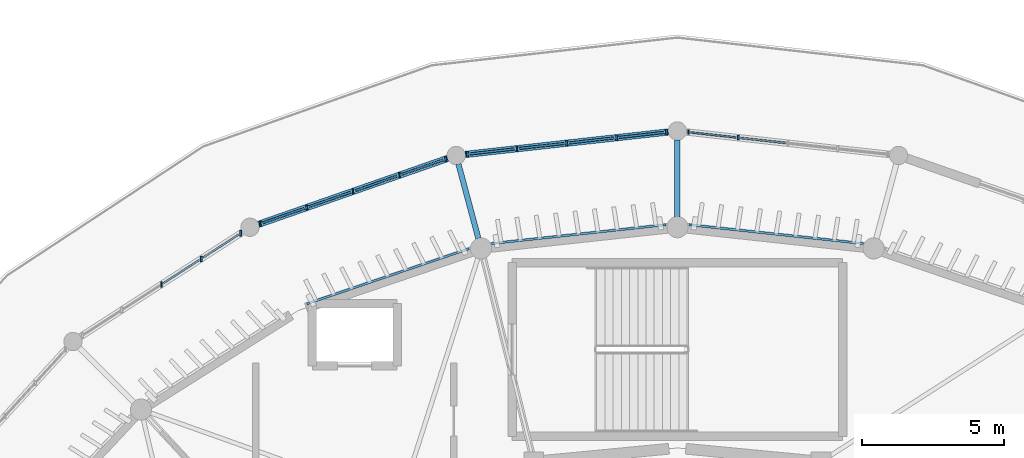
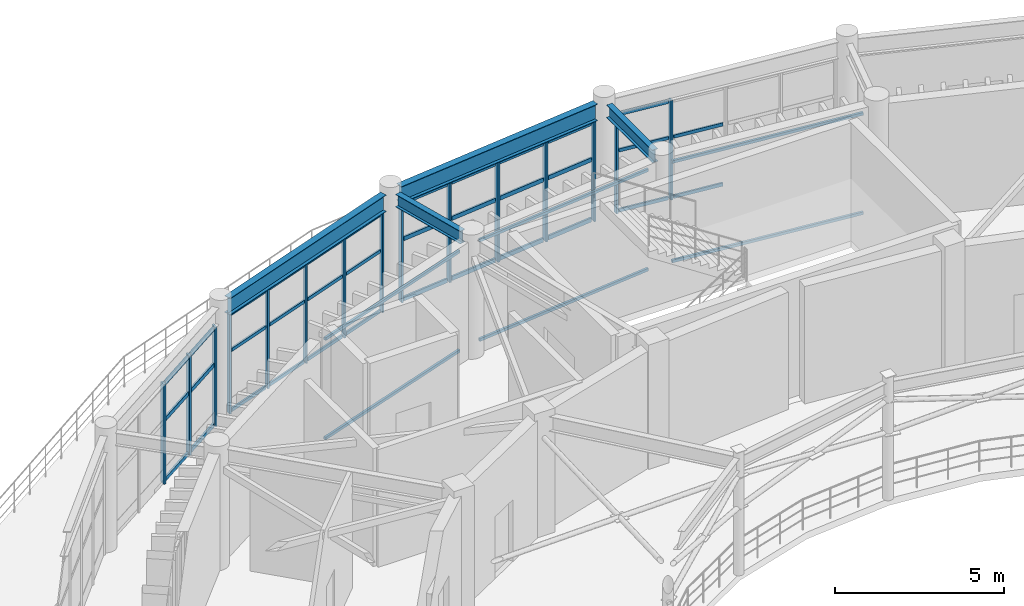
# One storey, part 13 of 45: 56 members, 4 beams, 4 elements without a shape of their own.
"""IFC4 building model written with IfcOpenShell, lengths in metres."""

from ifc_helpers import new_model, si_unit, direction, frame, origin, origin_2d, place, context, subcontext, project, spatial, rectangle, i_section, extrude, material, material_profile, profile_set, type_object, element, aggregate, save


model = new_model("IFC4")

# Units and contexts
model_context = context("Model", 3, precision=1e-05, world=origin(), true_north=direction((0.0, 1.0)))
body_context = subcontext(model_context, "Body", "Model", "MODEL_VIEW")
ifc_project = project(units=[si_unit("LENGTHUNIT", "METRE"), si_unit("AREAUNIT", "SQUARE_METRE"), si_unit("VOLUMEUNIT", "CUBIC_METRE"), si_unit("PLANEANGLEUNIT", "RADIAN"), si_unit("MASSUNIT", "GRAM", prefix="KILO")], contexts=[model_context])

# Site, building, storey
site_placement = place(None, origin())
site = spatial("IfcSite", under=ifc_project, at=site_placement, CompositionType="ELEMENT")
building_placement = place(site_placement, origin())
building = spatial("IfcBuilding", under=site, at=building_placement, Name="Cinderbank Siding Concert Hall", CompositionType="ELEMENT")
storey_placement = place(building_placement, frame((0.0, 0.0, 19.199951171875)))
storey = spatial("IfcBuildingStorey", under=building, at=storey_placement, Name="L05", CompositionType="ELEMENT", Elevation=19.199951171875)

# Beams
ifc_material_1 = material(Name="Structural steel AS/NZS 3679.1 Grade 350 (340 MPa)", Category="steel")
ifc_material_profile_1 = material_profile(ifc_material_1, i_section(OverallWidth=0.19091796875, OverallDepth=0.46044921875, WebThickness=0.010009765625, FlangeThickness=0.01611328125, at=origin_2d()), Name="460UB82.1", Category="LoadBearing")
ifc_profile_set_1 = profile_set([ifc_material_profile_1], Name="Structural steel AS/NZS 3679.1 Grade 350 (340 MPa)")
beam_type_1 = type_object("IfcBeamType", Name="BM-UB460H 460UB82.1", PredefinedType="BEAM", material=ifc_profile_set_1)
beam_1_placement = place(storey_placement, frame((122.0, 66.366943359375, 4.001953125), z_axis=(0.0, 1.0, 0.0), x_axis=(-1.0, 0.0, 0.0)))
element("IfcBeam", 1, at=beam_1_placement, inside=storey, type_object=beam_type_1, Name="L05 Beam BM-UB460H #801", PredefinedType="BEAM", context=body_context, shape_type="SweptSolid", body=[
    extrude(i_section(OverallWidth=0.19091796875, OverallDepth=0.46044921875, WebThickness=0.010009765625, FlangeThickness=0.01611328125, at=origin_2d()), origin(), (0.0, 0.0, 1.0), 2.716064453125),
])
beam_2_placement = place(storey_placement, frame((114.968505859375, 65.60498046875, 4.001953125), z_axis=(-0.258809477387, 0.9659283899, 0.0), x_axis=(-0.9659283899, -0.258809477387, 0.0)))
element("IfcBeam", 2, at=beam_2_placement, inside=storey, type_object=beam_type_1, Name="L05 Beam BM-UB460H #802", PredefinedType="BEAM", context=body_context, shape_type="SweptSolid", body=[
    extrude(i_section(OverallWidth=0.19091796875, OverallDepth=0.46044921875, WebThickness=0.010009765625, FlangeThickness=0.01611328125, at=origin_2d()), origin(), (0.0, 0.0, 1.0), 2.7158203125),
])
ifc_material_profile_2 = material_profile(ifc_material_1, i_section(OverallWidth=0.22802734375, OverallDepth=0.60693359375, WebThickness=0.01123046875, FlangeThickness=0.017333984375, at=origin_2d()), Name="610UB113", Category="LoadBearing")
ifc_profile_set_2 = profile_set([ifc_material_profile_2], Name="Structural steel AS/NZS 3679.1 Grade 350 (340 MPa)")
beam_type_2 = type_object("IfcBeamType", Name="BM-UB610M 610UB113", PredefinedType="BEAM", material=ifc_profile_set_2)
beam_3_placement = place(storey_placement, frame((121.684814453125, 69.364990234375, 3.928466796875), z_axis=(-0.993926077211, -0.110049775281, 0.0), x_axis=(0.110049775281, -0.993926077211, 0.0)))
element("IfcBeam", 3, at=beam_3_placement, inside=storey, type_object=beam_type_2, Name="L05 Beam BM-UB610M #765", PredefinedType="BEAM", context=body_context, shape_type="SweptSolid", body=[
    extrude(i_section(OverallWidth=0.22802734375, OverallDepth=0.60693359375, WebThickness=0.01123046875, FlangeThickness=0.017333984375, at=origin_2d()), origin(), (0.0, 0.0, 1.0), 7.22998046875),
])
beam_4_placement = place(storey_placement, frame((113.88427734375, 68.43017578125, 3.928466796875), z_axis=(-0.944334299593, -0.328987432301, 0.0), x_axis=(0.328987432301, -0.944334299593, 0.0)))
element("IfcBeam", 4, at=beam_4_placement, inside=storey, type_object=beam_type_2, Name="L05 Beam BM-UB610M #766", PredefinedType="BEAM", context=body_context, shape_type="SweptSolid", body=[
    extrude(i_section(OverallWidth=0.22802734375, OverallDepth=0.60693359375, WebThickness=0.01123046875, FlangeThickness=0.017333984375, at=origin_2d()), origin(), (0.0, 0.0, 1.0), 7.078857421875),
])

# Curtain wall, members
ifc_material_2 = material(Name="Anodised aluminium alloy 6063-T6", Category="aluminium")
curtain_wall_type_1 = type_object("IfcCurtainWallType", Name="CW-10 Unitised Acoustic Curtain Wall 7200x3500", PredefinedType="NOTDEFINED", material=ifc_material_2)
curtain_wall_1_placement = place(storey_placement, origin())
curtain_wall_1 = element("IfcCurtainWall", 5, at=curtain_wall_1_placement, inside=storey, type_object=curtain_wall_type_1, Name="L05 Curtain Wall CW-10 #76", PredefinedType="NOTDEFINED")
ifc_material_profile_3 = material_profile(ifc_material_2, rectangle(XDim=0.06005859375, YDim=0.159912109375, at=origin_2d()), Name="ALU-MULL-60x160", Category="LoadBearing")
ifc_profile_set_3 = profile_set([ifc_material_profile_3], Name="Anodised aluminium alloy 6063-T6")
member_type_1 = type_object("IfcMemberType", Name="CW-ML1 Mullion 60x160", PredefinedType="MULLION", material=ifc_profile_set_3)
member_1_placement = place(storey_placement, frame((124.14794921875, 69.162109375, 0.0), z_axis=(0.0, 0.0, 1.0), x_axis=(1.0, 0.0, 0.0)))
member_1 = element("IfcMember", 6, at=member_1_placement, type_object=member_type_1, Name="CW-L05-076 Mullion 3", PredefinedType="MULLION", context=body_context, shape_type="SweptSolid", body=[
    extrude(rectangle(XDim=0.06005859375, YDim=0.159912109375, at=origin_2d()), origin(), (0.0, 0.0, 1.0), 3.610107421875),
])
member_2_placement = place(storey_placement, frame((122.3876953125, 69.357177734375, 0.0), z_axis=(0.0, 0.0, 1.0), x_axis=(1.0, 0.0, 0.0)))
member_2 = element("IfcMember", 7, at=member_2_placement, type_object=member_type_1, Name="CW-L05-076 Mullion 4", PredefinedType="MULLION", context=body_context, shape_type="SweptSolid", body=[
    extrude(rectangle(XDim=0.06005859375, YDim=0.159912109375, at=origin_2d()), origin(), (0.0, 0.0, 1.0), 3.610107421875),
])

curtain_wall_type_2 = type_object("IfcCurtainWallType", Name="CW-12 Unitised Acoustic Curtain Wall 5800x3500", PredefinedType="NOTDEFINED", material=ifc_material_2)
curtain_wall_2_placement = place(storey_placement, origin())
curtain_wall_2 = element("IfcCurtainWall", 8, at=curtain_wall_2_placement, inside=storey, type_object=curtain_wall_type_2, Name="L05 Curtain Wall CW-12 #78", PredefinedType="NOTDEFINED")
member_3_placement = place(storey_placement, frame((113.8154296875, 68.40625, 0.0), z_axis=(0.0, 0.0, 1.0), x_axis=(1.0, 0.0, 0.0)))
member_3 = element("IfcMember", 9, at=member_3_placement, type_object=member_type_1, Name="CW-L05-078 Mullion 0", PredefinedType="MULLION", context=body_context, shape_type="SweptSolid", body=[
    extrude(rectangle(XDim=0.06005859375, YDim=0.159912109375, at=origin_2d()), origin(), (0.0, 0.0, 1.0), 3.610107421875),
])
member_4_placement = place(storey_placement, frame((112.1787109375, 67.8359375, 0.0), z_axis=(0.0, 0.0, 1.0), x_axis=(1.0, 0.0, 0.0)))
member_4 = element("IfcMember", 10, at=member_4_placement, type_object=member_type_1, Name="CW-L05-078 Mullion 1", PredefinedType="MULLION", context=body_context, shape_type="SweptSolid", body=[
    extrude(rectangle(XDim=0.06005859375, YDim=0.159912109375, at=origin_2d()), origin(), (0.0, 0.0, 1.0), 3.610107421875),
])
member_5_placement = place(storey_placement, frame((110.541748046875, 67.265625, 0.0), z_axis=(0.0, 0.0, 1.0), x_axis=(1.0, 0.0, 0.0)))
member_5 = element("IfcMember", 11, at=member_5_placement, type_object=member_type_1, Name="CW-L05-078 Mullion 2", PredefinedType="MULLION", context=body_context, shape_type="SweptSolid", body=[
    extrude(rectangle(XDim=0.06005859375, YDim=0.159912109375, at=origin_2d()), origin(), (0.0, 0.0, 1.0), 3.610107421875),
])
member_6_placement = place(storey_placement, frame((108.905029296875, 66.695556640625, 0.0), z_axis=(0.0, 0.0, 1.0), x_axis=(1.0, 0.0, 0.0)))
member_6 = element("IfcMember", 12, at=member_6_placement, type_object=member_type_1, Name="CW-L05-078 Mullion 3", PredefinedType="MULLION", context=body_context, shape_type="SweptSolid", body=[
    extrude(rectangle(XDim=0.06005859375, YDim=0.159912109375, at=origin_2d()), origin(), (0.0, 0.0, 1.0), 3.610107421875),
])
member_7_placement = place(storey_placement, frame((107.268310546875, 66.125244140625, 0.0), z_axis=(0.0, 0.0, 1.0), x_axis=(1.0, 0.0, 0.0)))
member_7 = element("IfcMember", 13, at=member_7_placement, type_object=member_type_1, Name="CW-L05-078 Mullion 4", PredefinedType="MULLION", context=body_context, shape_type="SweptSolid", body=[
    extrude(rectangle(XDim=0.06005859375, YDim=0.159912109375, at=origin_2d()), origin(), (0.0, 0.0, 1.0), 3.610107421875),
])

curtain_wall_type_3 = type_object("IfcCurtainWallType", Name="CW-11 Unitised Acoustic Curtain Wall 6600x3500", PredefinedType="NOTDEFINED", material=ifc_material_2)
curtain_wall_3_placement = place(storey_placement, origin())
curtain_wall_3 = element("IfcCurtainWall", 14, at=curtain_wall_3_placement, inside=storey, type_object=curtain_wall_type_3, Name="L05 Curtain Wall CW-11 #77", PredefinedType="NOTDEFINED")
ifc_material_profile_4 = material_profile(ifc_material_2, rectangle(XDim=0.06494140625, YDim=0.199951171875, at=origin_2d()), Name="ALU-MULL-65x200", Category="LoadBearing")
ifc_profile_set_4 = profile_set([ifc_material_profile_4], Name="Anodised aluminium alloy 6063-T6")
member_type_2 = type_object("IfcMemberType", Name="CW-ML2 Mullion 65x200", PredefinedType="MULLION", material=ifc_profile_set_4)
member_8_placement = place(storey_placement, frame((121.6123046875, 69.357177734375, 0.0), z_axis=(0.0, 0.0, 1.0), x_axis=(1.0, 0.0, 0.0)))
member_8 = element("IfcMember", 15, at=member_8_placement, type_object=member_type_2, Name="CW-L05-077 Mullion 0", PredefinedType="MULLION", context=body_context, shape_type="SweptSolid", body=[
    extrude(rectangle(XDim=0.06494140625, YDim=0.199951171875, at=origin_2d()), origin(), (0.0, 0.0, 1.0), 3.610107421875),
])
member_9_placement = place(storey_placement, frame((119.85205078125, 69.162109375, 0.0), z_axis=(0.0, 0.0, 1.0), x_axis=(1.0, 0.0, 0.0)))
member_9 = element("IfcMember", 16, at=member_9_placement, type_object=member_type_2, Name="CW-L05-077 Mullion 1", PredefinedType="MULLION", context=body_context, shape_type="SweptSolid", body=[
    extrude(rectangle(XDim=0.06494140625, YDim=0.199951171875, at=origin_2d()), origin(), (0.0, 0.0, 1.0), 3.610107421875),
])
member_10_placement = place(storey_placement, frame((118.091796875, 68.96728515625, 0.0), z_axis=(0.0, 0.0, 1.0), x_axis=(1.0, 0.0, 0.0)))
member_10 = element("IfcMember", 17, at=member_10_placement, type_object=member_type_2, Name="CW-L05-077 Mullion 2", PredefinedType="MULLION", context=body_context, shape_type="SweptSolid", body=[
    extrude(rectangle(XDim=0.06494140625, YDim=0.199951171875, at=origin_2d()), origin(), (0.0, 0.0, 1.0), 3.610107421875),
])
member_11_placement = place(storey_placement, frame((116.33154296875, 68.772216796875, 0.0), z_axis=(0.0, 0.0, 1.0), x_axis=(1.0, 0.0, 0.0)))
member_11 = element("IfcMember", 18, at=member_11_placement, type_object=member_type_2, Name="CW-L05-077 Mullion 3", PredefinedType="MULLION", context=body_context, shape_type="SweptSolid", body=[
    extrude(rectangle(XDim=0.06494140625, YDim=0.199951171875, at=origin_2d()), origin(), (0.0, 0.0, 1.0), 3.610107421875),
])
member_12_placement = place(storey_placement, frame((114.5712890625, 68.577392578125, 0.0), z_axis=(0.0, 0.0, 1.0), x_axis=(1.0, 0.0, 0.0)))
member_12 = element("IfcMember", 19, at=member_12_placement, type_object=member_type_2, Name="CW-L05-077 Mullion 4", PredefinedType="MULLION", context=body_context, shape_type="SweptSolid", body=[
    extrude(rectangle(XDim=0.06494140625, YDim=0.199951171875, at=origin_2d()), origin(), (0.0, 0.0, 1.0), 3.610107421875),
])

curtain_wall_type_4 = type_object("IfcCurtainWallType", Name="CW-09 Unitised Acoustic Curtain Wall 8000x3500", PredefinedType="NOTDEFINED", material=ifc_material_2)
curtain_wall_4_placement = place(storey_placement, origin())
curtain_wall_4 = element("IfcCurtainWall", 20, at=curtain_wall_4_placement, inside=storey, type_object=curtain_wall_type_4, Name="L05 Curtain Wall CW-09 #79", PredefinedType="NOTDEFINED")
member_13_placement = place(storey_placement, frame((106.572265625, 65.785400390625, 0.0), z_axis=(0.0, 0.0, 1.0), x_axis=(1.0, 0.0, 0.0)))
member_13 = element("IfcMember", 21, at=member_13_placement, type_object=member_type_2, Name="CW-L05-079 Mullion 0", PredefinedType="MULLION", context=body_context, shape_type="SweptSolid", body=[
    extrude(rectangle(XDim=0.06494140625, YDim=0.199951171875, at=origin_2d()), origin(), (0.0, 0.0, 1.0), 3.610107421875),
])
member_14_placement = place(storey_placement, frame((105.172607421875, 64.882080078125, 0.0), z_axis=(0.0, 0.0, 1.0), x_axis=(1.0, 0.0, 0.0)))
member_14 = element("IfcMember", 22, at=member_14_placement, type_object=member_type_2, Name="CW-L05-079 Mullion 1", PredefinedType="MULLION", context=body_context, shape_type="SweptSolid", body=[
    extrude(rectangle(XDim=0.06494140625, YDim=0.199951171875, at=origin_2d()), origin(), (0.0, 0.0, 1.0), 3.610107421875),
])
member_15_placement = place(storey_placement, frame((103.772705078125, 63.978759765625, 0.0), z_axis=(0.0, 0.0, 1.0), x_axis=(1.0, 0.0, 0.0)))
member_15 = element("IfcMember", 23, at=member_15_placement, type_object=member_type_2, Name="CW-L05-079 Mullion 2", PredefinedType="MULLION", context=body_context, shape_type="SweptSolid", body=[
    extrude(rectangle(XDim=0.06494140625, YDim=0.199951171875, at=origin_2d()), origin(), (0.0, 0.0, 1.0), 3.610107421875),
])

# Member
ifc_material_profile_5 = material_profile(ifc_material_2, rectangle(XDim=0.06005859375, YDim=0.1201171875, at=origin_2d()), Name="ALU-TRAN-60x120", Category="LoadBearing")
ifc_profile_set_5 = profile_set([ifc_material_profile_5], Name="Anodised aluminium alloy 6063-T6")
member_type_3 = type_object("IfcMemberType", Name="CW-TR1 Transom 60x120", PredefinedType="USERDEFINED", material=ifc_profile_set_5)
member_16_placement = place(storey_placement, frame((125.820068359375, 68.97705078125, 0.06005859375), z_axis=(-0.993934065753, 0.109977601974, 0.0), x_axis=(-0.109977601974, -0.993934065753, 0.0)))
member_16 = element("IfcMember", 24, at=member_16_placement, type_object=member_type_3, Name="CW-L05-076 Transom 2-0", ObjectType="TRANSOM", PredefinedType="USERDEFINED", context=body_context, shape_type="SweptSolid", body=[
    extrude(rectangle(XDim=0.06005859375, YDim=0.1201171875, at=origin_2d()), origin(), (0.0, 0.0, 1.0), 1.593994140625),
])

member_17_placement = place(storey_placement, frame((125.820068359375, 68.97705078125, 2.23828125), z_axis=(-0.993934065753, 0.109977601974, 0.0), x_axis=(-0.109977601974, -0.993934065753, 0.0)))
member_17 = element("IfcMember", 25, at=member_17_placement, type_object=member_type_3, Name="CW-L05-076 Transom 2-1", ObjectType="TRANSOM", PredefinedType="USERDEFINED", context=body_context, shape_type="SweptSolid", body=[
    extrude(rectangle(XDim=0.06005859375, YDim=0.1201171875, at=origin_2d()), origin(), (0.0, 0.0, 1.0), 1.593994140625),
])

member_18_placement = place(storey_placement, frame((124.059814453125, 69.171875, 0.06005859375), z_axis=(-0.993917311195, 0.110128917668, 0.0), x_axis=(-0.110128917668, -0.993917311195, 0.0)))
member_18 = element("IfcMember", 26, at=member_18_placement, type_object=member_type_3, Name="CW-L05-076 Transom 3-0", ObjectType="TRANSOM", PredefinedType="USERDEFINED", context=body_context, shape_type="SweptSolid", body=[
    extrude(rectangle(XDim=0.06005859375, YDim=0.1201171875, at=origin_2d()), origin(), (0.0, 0.0, 1.0), 1.593994140625),
])

member_19_placement = place(storey_placement, frame((124.059814453125, 69.171875, 2.23828125), z_axis=(-0.993917311195, 0.110128917668, 0.0), x_axis=(-0.110128917668, -0.993917311195, 0.0)))
member_19 = element("IfcMember", 27, at=member_19_placement, type_object=member_type_3, Name="CW-L05-076 Transom 3-1", ObjectType="TRANSOM", PredefinedType="USERDEFINED", context=body_context, shape_type="SweptSolid", body=[
    extrude(rectangle(XDim=0.06005859375, YDim=0.1201171875, at=origin_2d()), origin(), (0.0, 0.0, 1.0), 1.593994140625),
])

member_20_placement = place(storey_placement, frame((124.059814453125, 69.171875, 3.550048828125), z_axis=(-0.993917311195, 0.110128917668, 0.0), x_axis=(-0.110128917668, -0.993917311195, 0.0)))
member_20 = element("IfcMember", 28, at=member_20_placement, type_object=member_type_3, Name="CW-L05-076 Transom 3-2", ObjectType="TRANSOM", PredefinedType="USERDEFINED", context=body_context, shape_type="SweptSolid", body=[
    extrude(rectangle(XDim=0.06005859375, YDim=0.1201171875, at=origin_2d()), origin(), (0.0, 0.0, 1.0), 1.593994140625),
])

aggregate(curtain_wall_1, [member_1, member_2, member_16, member_17, member_18, member_19, member_20])

member_21_placement = place(storey_placement, frame((113.733642578125, 68.377685546875, 0.06005859375), z_axis=(-0.944340450587, -0.328969775793, 0.0), x_axis=(0.328969775793, -0.944340450587, 0.0)))
member_21 = element("IfcMember", 29, at=member_21_placement, type_object=member_type_3, Name="CW-L05-078 Transom 0-0", ObjectType="TRANSOM", PredefinedType="USERDEFINED", context=body_context, shape_type="SweptSolid", body=[
    extrude(rectangle(XDim=0.06005859375, YDim=0.1201171875, at=origin_2d()), origin(), (0.0, 0.0, 1.0), 1.56005859375),
])

member_22_placement = place(storey_placement, frame((113.733642578125, 68.377685546875, 2.23828125), z_axis=(-0.944340450587, -0.328969775793, 0.0), x_axis=(0.328969775793, -0.944340450587, 0.0)))
member_22 = element("IfcMember", 30, at=member_22_placement, type_object=member_type_3, Name="CW-L05-078 Transom 0-1", ObjectType="TRANSOM", PredefinedType="USERDEFINED", context=body_context, shape_type="SweptSolid", body=[
    extrude(rectangle(XDim=0.06005859375, YDim=0.1201171875, at=origin_2d()), origin(), (0.0, 0.0, 1.0), 1.56005859375),
])

member_23_placement = place(storey_placement, frame((113.733642578125, 68.377685546875, 3.550048828125), z_axis=(-0.944340450587, -0.328969775793, 0.0), x_axis=(0.328969775793, -0.944340450587, 0.0)))
member_23 = element("IfcMember", 31, at=member_23_placement, type_object=member_type_3, Name="CW-L05-078 Transom 0-2", ObjectType="TRANSOM", PredefinedType="USERDEFINED", context=body_context, shape_type="SweptSolid", body=[
    extrude(rectangle(XDim=0.06005859375, YDim=0.1201171875, at=origin_2d()), origin(), (0.0, 0.0, 1.0), 1.56005859375),
])

member_24_placement = place(storey_placement, frame((112.0966796875, 67.8076171875, 0.06005859375), z_axis=(-0.944274869359, -0.32915797286, 0.0), x_axis=(0.32915797286, -0.944274869359, 0.0)))
member_24 = element("IfcMember", 32, at=member_24_placement, type_object=member_type_3, Name="CW-L05-078 Transom 1-0", ObjectType="TRANSOM", PredefinedType="USERDEFINED", context=body_context, shape_type="SweptSolid", body=[
    extrude(rectangle(XDim=0.06005859375, YDim=0.1201171875, at=origin_2d()), origin(), (0.0, 0.0, 1.0), 1.559814453125),
])

member_25_placement = place(storey_placement, frame((112.0966796875, 67.8076171875, 2.23828125), z_axis=(-0.944274869359, -0.32915797286, 0.0), x_axis=(0.32915797286, -0.944274869359, 0.0)))
member_25 = element("IfcMember", 33, at=member_25_placement, type_object=member_type_3, Name="CW-L05-078 Transom 1-1", ObjectType="TRANSOM", PredefinedType="USERDEFINED", context=body_context, shape_type="SweptSolid", body=[
    extrude(rectangle(XDim=0.06005859375, YDim=0.1201171875, at=origin_2d()), origin(), (0.0, 0.0, 1.0), 1.559814453125),
])

member_26_placement = place(storey_placement, frame((112.0966796875, 67.8076171875, 3.550048828125), z_axis=(-0.944274869359, -0.32915797286, 0.0), x_axis=(0.32915797286, -0.944274869359, 0.0)))
member_26 = element("IfcMember", 34, at=member_26_placement, type_object=member_type_3, Name="CW-L05-078 Transom 1-2", ObjectType="TRANSOM", PredefinedType="USERDEFINED", context=body_context, shape_type="SweptSolid", body=[
    extrude(rectangle(XDim=0.06005859375, YDim=0.1201171875, at=origin_2d()), origin(), (0.0, 0.0, 1.0), 1.559814453125),
])

member_27_placement = place(storey_placement, frame((110.4599609375, 67.2373046875, 0.06005859375), z_axis=(-0.944340450587, -0.328969775793, 0.0), x_axis=(0.328969775793, -0.944340450587, 0.0)))
member_27 = element("IfcMember", 35, at=member_27_placement, type_object=member_type_3, Name="CW-L05-078 Transom 2-0", ObjectType="TRANSOM", PredefinedType="USERDEFINED", context=body_context, shape_type="SweptSolid", body=[
    extrude(rectangle(XDim=0.06005859375, YDim=0.1201171875, at=origin_2d()), origin(), (0.0, 0.0, 1.0), 1.56005859375),
])

member_28_placement = place(storey_placement, frame((110.4599609375, 67.2373046875, 2.23828125), z_axis=(-0.944340450587, -0.328969775793, 0.0), x_axis=(0.328969775793, -0.944340450587, 0.0)))
member_28 = element("IfcMember", 36, at=member_28_placement, type_object=member_type_3, Name="CW-L05-078 Transom 2-1", ObjectType="TRANSOM", PredefinedType="USERDEFINED", context=body_context, shape_type="SweptSolid", body=[
    extrude(rectangle(XDim=0.06005859375, YDim=0.1201171875, at=origin_2d()), origin(), (0.0, 0.0, 1.0), 1.56005859375),
])

member_29_placement = place(storey_placement, frame((110.4599609375, 67.2373046875, 3.550048828125), z_axis=(-0.944340450587, -0.328969775793, 0.0), x_axis=(0.328969775793, -0.944340450587, 0.0)))
member_29 = element("IfcMember", 37, at=member_29_placement, type_object=member_type_3, Name="CW-L05-078 Transom 2-2", ObjectType="TRANSOM", PredefinedType="USERDEFINED", context=body_context, shape_type="SweptSolid", body=[
    extrude(rectangle(XDim=0.06005859375, YDim=0.1201171875, at=origin_2d()), origin(), (0.0, 0.0, 1.0), 1.56005859375),
])

member_30_placement = place(storey_placement, frame((108.8232421875, 66.6669921875, 0.06005859375), z_axis=(-0.944340450587, -0.328969775793, 0.0), x_axis=(0.328969775793, -0.944340450587, 0.0)))
member_30 = element("IfcMember", 38, at=member_30_placement, type_object=member_type_3, Name="CW-L05-078 Transom 3-0", ObjectType="TRANSOM", PredefinedType="USERDEFINED", context=body_context, shape_type="SweptSolid", body=[
    extrude(rectangle(XDim=0.06005859375, YDim=0.1201171875, at=origin_2d()), origin(), (0.0, 0.0, 1.0), 1.56005859375),
])

member_31_placement = place(storey_placement, frame((108.8232421875, 66.6669921875, 2.23828125), z_axis=(-0.944340450587, -0.328969775793, 0.0), x_axis=(0.328969775793, -0.944340450587, 0.0)))
member_31 = element("IfcMember", 39, at=member_31_placement, type_object=member_type_3, Name="CW-L05-078 Transom 3-1", ObjectType="TRANSOM", PredefinedType="USERDEFINED", context=body_context, shape_type="SweptSolid", body=[
    extrude(rectangle(XDim=0.06005859375, YDim=0.1201171875, at=origin_2d()), origin(), (0.0, 0.0, 1.0), 1.56005859375),
])

member_32_placement = place(storey_placement, frame((108.8232421875, 66.6669921875, 3.550048828125), z_axis=(-0.944340450587, -0.328969775793, 0.0), x_axis=(0.328969775793, -0.944340450587, 0.0)))
member_32 = element("IfcMember", 40, at=member_32_placement, type_object=member_type_3, Name="CW-L05-078 Transom 3-2", ObjectType="TRANSOM", PredefinedType="USERDEFINED", context=body_context, shape_type="SweptSolid", body=[
    extrude(rectangle(XDim=0.06005859375, YDim=0.1201171875, at=origin_2d()), origin(), (0.0, 0.0, 1.0), 1.56005859375),
])

aggregate(curtain_wall_2, [member_3, member_4, member_5, member_6, member_7, member_21, member_22, member_23, member_24, member_25, member_26, member_27, member_28, member_29, member_30, member_31, member_32])

ifc_material_profile_6 = material_profile(ifc_material_2, rectangle(XDim=0.06494140625, YDim=0.14990234375, at=origin_2d()), Name="ALU-TRAN-65x150", Category="LoadBearing")
ifc_profile_set_6 = profile_set([ifc_material_profile_6], Name="Anodised aluminium alloy 6063-T6")
member_type_4 = type_object("IfcMemberType", Name="CW-TR2 Transom 65x150", PredefinedType="USERDEFINED", material=ifc_profile_set_6)
member_33_placement = place(storey_placement, frame((121.5244140625, 69.347412109375, 0.06005859375), z_axis=(-0.993917311195, -0.110128917668, 0.0), x_axis=(0.110128917668, -0.993917311195, 0.0)))
member_33 = element("IfcMember", 41, at=member_33_placement, type_object=member_type_4, Name="CW-L05-077 Transom 0-0", ObjectType="TRANSOM", PredefinedType="USERDEFINED", context=body_context, shape_type="SweptSolid", body=[
    extrude(rectangle(XDim=0.06494140625, YDim=0.14990234375, at=origin_2d()), origin(), (0.0, 0.0, 1.0), 1.593994140625),
])

member_34_placement = place(storey_placement, frame((121.5244140625, 69.347412109375, 2.23828125), z_axis=(-0.993917311195, -0.110128917668, 0.0), x_axis=(0.110128917668, -0.993917311195, 0.0)))
member_34 = element("IfcMember", 42, at=member_34_placement, type_object=member_type_4, Name="CW-L05-077 Transom 0-1", ObjectType="TRANSOM", PredefinedType="USERDEFINED", context=body_context, shape_type="SweptSolid", body=[
    extrude(rectangle(XDim=0.06494140625, YDim=0.14990234375, at=origin_2d()), origin(), (0.0, 0.0, 1.0), 1.593994140625),
])

member_35_placement = place(storey_placement, frame((121.5244140625, 69.347412109375, 3.550048828125), z_axis=(-0.993917311195, -0.110128917668, 0.0), x_axis=(0.110128917668, -0.993917311195, 0.0)))
member_35 = element("IfcMember", 43, at=member_35_placement, type_object=member_type_4, Name="CW-L05-077 Transom 0-2", ObjectType="TRANSOM", PredefinedType="USERDEFINED", context=body_context, shape_type="SweptSolid", body=[
    extrude(rectangle(XDim=0.06494140625, YDim=0.14990234375, at=origin_2d()), origin(), (0.0, 0.0, 1.0), 1.593994140625),
])

member_36_placement = place(storey_placement, frame((119.76416015625, 69.15234375, 0.06005859375), z_axis=(-0.993934065753, -0.109977601974, 0.0), x_axis=(0.109977601974, -0.993934065753, 0.0)))
member_36 = element("IfcMember", 44, at=member_36_placement, type_object=member_type_4, Name="CW-L05-077 Transom 1-0", ObjectType="TRANSOM", PredefinedType="USERDEFINED", context=body_context, shape_type="SweptSolid", body=[
    extrude(rectangle(XDim=0.06494140625, YDim=0.14990234375, at=origin_2d()), origin(), (0.0, 0.0, 1.0), 1.593994140625),
])

member_37_placement = place(storey_placement, frame((119.76416015625, 69.15234375, 2.23828125), z_axis=(-0.993934065753, -0.109977601974, 0.0), x_axis=(0.109977601974, -0.993934065753, 0.0)))
member_37 = element("IfcMember", 45, at=member_37_placement, type_object=member_type_4, Name="CW-L05-077 Transom 1-1", ObjectType="TRANSOM", PredefinedType="USERDEFINED", context=body_context, shape_type="SweptSolid", body=[
    extrude(rectangle(XDim=0.06494140625, YDim=0.14990234375, at=origin_2d()), origin(), (0.0, 0.0, 1.0), 1.593994140625),
])

member_38_placement = place(storey_placement, frame((119.76416015625, 69.15234375, 3.550048828125), z_axis=(-0.993934065753, -0.109977601974, 0.0), x_axis=(0.109977601974, -0.993934065753, 0.0)))
member_38 = element("IfcMember", 46, at=member_38_placement, type_object=member_type_4, Name="CW-L05-077 Transom 1-2", ObjectType="TRANSOM", PredefinedType="USERDEFINED", context=body_context, shape_type="SweptSolid", body=[
    extrude(rectangle(XDim=0.06494140625, YDim=0.14990234375, at=origin_2d()), origin(), (0.0, 0.0, 1.0), 1.593994140625),
])

member_39_placement = place(storey_placement, frame((118.00390625, 68.95751953125, 0.06005859375), z_axis=(-0.993917311195, -0.110128917668, 0.0), x_axis=(0.110128917668, -0.993917311195, 0.0)))
member_39 = element("IfcMember", 47, at=member_39_placement, type_object=member_type_4, Name="CW-L05-077 Transom 2-0", ObjectType="TRANSOM", PredefinedType="USERDEFINED", context=body_context, shape_type="SweptSolid", body=[
    extrude(rectangle(XDim=0.06494140625, YDim=0.14990234375, at=origin_2d()), origin(), (0.0, 0.0, 1.0), 1.593994140625),
])

member_40_placement = place(storey_placement, frame((118.00390625, 68.95751953125, 2.23828125), z_axis=(-0.993917311195, -0.110128917668, 0.0), x_axis=(0.110128917668, -0.993917311195, 0.0)))
member_40 = element("IfcMember", 48, at=member_40_placement, type_object=member_type_4, Name="CW-L05-077 Transom 2-1", ObjectType="TRANSOM", PredefinedType="USERDEFINED", context=body_context, shape_type="SweptSolid", body=[
    extrude(rectangle(XDim=0.06494140625, YDim=0.14990234375, at=origin_2d()), origin(), (0.0, 0.0, 1.0), 1.593994140625),
])

member_41_placement = place(storey_placement, frame((118.00390625, 68.95751953125, 3.550048828125), z_axis=(-0.993917311195, -0.110128917668, 0.0), x_axis=(0.110128917668, -0.993917311195, 0.0)))
member_41 = element("IfcMember", 49, at=member_41_placement, type_object=member_type_4, Name="CW-L05-077 Transom 2-2", ObjectType="TRANSOM", PredefinedType="USERDEFINED", context=body_context, shape_type="SweptSolid", body=[
    extrude(rectangle(XDim=0.06494140625, YDim=0.14990234375, at=origin_2d()), origin(), (0.0, 0.0, 1.0), 1.593994140625),
])

member_42_placement = place(storey_placement, frame((116.24365234375, 68.7626953125, 0.06005859375), z_axis=(-0.993919168469, -0.110112154411, 0.0), x_axis=(0.110112154411, -0.993919168469, 0.0)))
member_42 = element("IfcMember", 50, at=member_42_placement, type_object=member_type_4, Name="CW-L05-077 Transom 3-0", ObjectType="TRANSOM", PredefinedType="USERDEFINED", context=body_context, shape_type="SweptSolid", body=[
    extrude(rectangle(XDim=0.06494140625, YDim=0.14990234375, at=origin_2d()), origin(), (0.0, 0.0, 1.0), 1.59423828125),
])

member_43_placement = place(storey_placement, frame((116.24365234375, 68.7626953125, 2.23828125), z_axis=(-0.993919168469, -0.110112154411, 0.0), x_axis=(0.110112154411, -0.993919168469, 0.0)))
member_43 = element("IfcMember", 51, at=member_43_placement, type_object=member_type_4, Name="CW-L05-077 Transom 3-1", ObjectType="TRANSOM", PredefinedType="USERDEFINED", context=body_context, shape_type="SweptSolid", body=[
    extrude(rectangle(XDim=0.06494140625, YDim=0.14990234375, at=origin_2d()), origin(), (0.0, 0.0, 1.0), 1.59423828125),
])

member_44_placement = place(storey_placement, frame((116.24365234375, 68.7626953125, 3.550048828125), z_axis=(-0.993919168469, -0.110112154411, 0.0), x_axis=(0.110112154411, -0.993919168469, 0.0)))
member_44 = element("IfcMember", 52, at=member_44_placement, type_object=member_type_4, Name="CW-L05-077 Transom 3-2", ObjectType="TRANSOM", PredefinedType="USERDEFINED", context=body_context, shape_type="SweptSolid", body=[
    extrude(rectangle(XDim=0.06494140625, YDim=0.14990234375, at=origin_2d()), origin(), (0.0, 0.0, 1.0), 1.59423828125),
])

aggregate(curtain_wall_3, [member_8, member_9, member_10, member_11, member_12, member_33, member_34, member_35, member_36, member_37, member_38, member_39, member_40, member_41, member_42, member_43, member_44])

member_45_placement = place(storey_placement, frame((106.502197265625, 65.740478515625, 0.06005859375), z_axis=(-0.840150666065, -0.542353075322, 0.0), x_axis=(0.542353075322, -0.840150666065, 0.0)))
member_45 = element("IfcMember", 53, at=member_45_placement, type_object=member_type_4, Name="CW-L05-079 Transom 0-0", ObjectType="TRANSOM", PredefinedType="USERDEFINED", context=body_context, shape_type="SweptSolid", body=[
    extrude(rectangle(XDim=0.06494140625, YDim=0.14990234375, at=origin_2d()), origin(), (0.0, 0.0, 1.0), 1.49951171875),
])

member_46_placement = place(storey_placement, frame((106.502197265625, 65.740478515625, 2.23828125), z_axis=(-0.840150666065, -0.542353075322, 0.0), x_axis=(0.542353075322, -0.840150666065, 0.0)))
member_46 = element("IfcMember", 54, at=member_46_placement, type_object=member_type_4, Name="CW-L05-079 Transom 0-1", ObjectType="TRANSOM", PredefinedType="USERDEFINED", context=body_context, shape_type="SweptSolid", body=[
    extrude(rectangle(XDim=0.06494140625, YDim=0.14990234375, at=origin_2d()), origin(), (0.0, 0.0, 1.0), 1.49951171875),
])

member_47_placement = place(storey_placement, frame((106.502197265625, 65.740478515625, 3.550048828125), z_axis=(-0.840150666065, -0.542353075322, 0.0), x_axis=(0.542353075322, -0.840150666065, 0.0)))
member_47 = element("IfcMember", 55, at=member_47_placement, type_object=member_type_4, Name="CW-L05-079 Transom 0-2", ObjectType="TRANSOM", PredefinedType="USERDEFINED", context=body_context, shape_type="SweptSolid", body=[
    extrude(rectangle(XDim=0.06494140625, YDim=0.14990234375, at=origin_2d()), origin(), (0.0, 0.0, 1.0), 1.49951171875),
])

member_48_placement = place(storey_placement, frame((105.1025390625, 64.8369140625, 0.06005859375), z_axis=(-0.840224854991, -0.542238133163, 0.0), x_axis=(0.542238133163, -0.840224854991, 0.0)))
member_48 = element("IfcMember", 56, at=member_48_placement, type_object=member_type_4, Name="CW-L05-079 Transom 1-0", ObjectType="TRANSOM", PredefinedType="USERDEFINED", context=body_context, shape_type="SweptSolid", body=[
    extrude(rectangle(XDim=0.06494140625, YDim=0.14990234375, at=origin_2d()), origin(), (0.0, 0.0, 1.0), 1.499267578125),
])

member_49_placement = place(storey_placement, frame((105.1025390625, 64.8369140625, 2.23828125), z_axis=(-0.840224854991, -0.542238133163, 0.0), x_axis=(0.542238133163, -0.840224854991, 0.0)))
member_49 = element("IfcMember", 57, at=member_49_placement, type_object=member_type_4, Name="CW-L05-079 Transom 1-1", ObjectType="TRANSOM", PredefinedType="USERDEFINED", context=body_context, shape_type="SweptSolid", body=[
    extrude(rectangle(XDim=0.06494140625, YDim=0.14990234375, at=origin_2d()), origin(), (0.0, 0.0, 1.0), 1.499267578125),
])

member_50_placement = place(storey_placement, frame((105.1025390625, 64.8369140625, 3.550048828125), z_axis=(-0.840224854991, -0.542238133163, 0.0), x_axis=(0.542238133163, -0.840224854991, 0.0)))
member_50 = element("IfcMember", 58, at=member_50_placement, type_object=member_type_4, Name="CW-L05-079 Transom 1-2", ObjectType="TRANSOM", PredefinedType="USERDEFINED", context=body_context, shape_type="SweptSolid", body=[
    extrude(rectangle(XDim=0.06494140625, YDim=0.14990234375, at=origin_2d()), origin(), (0.0, 0.0, 1.0), 1.499267578125),
])

aggregate(curtain_wall_4, [member_13, member_14, member_15, member_45, member_46, member_47, member_48, member_49, member_50])

# Members
ifc_material_profile_7 = material_profile(ifc_material_2, rectangle(XDim=0.080078125, YDim=0.10009765625, at=origin_2d()), Name="ALU-RAIL-80x100", Category="LoadBearing")
ifc_profile_set_7 = profile_set([ifc_material_profile_7], Name="Anodised aluminium alloy 6063-T6")
member_type_5 = type_object("IfcMemberType", Name="LV-RL1 Carrier Rail 80x100", PredefinedType="STUD", material=ifc_profile_set_7)
for number, where, z_axis, x_axis, name in (
    (59, (128.569091796875, 65.420654296875, 0.219970703125), (-0.994211711823, 0.107438689841, 0.0), (-0.107438689841, -0.994211711823, 0.0), "L05 Louvre Carrier Rail 06 BOT"),
    (60, (128.569091796875, 65.420654296875, 3.820068359375), (-0.994211711823, 0.107438689841, 0.0), (-0.107438689841, -0.994211711823, 0.0), "L05 Louvre Carrier Rail 06 TOP"),
    (61, (121.591796875, 66.08642578125, 0.219970703125), (-0.994211711823, -0.107438689841, 0.0), (0.107438689841, -0.994211711823, 0.0), "L05 Louvre Carrier Rail 07 BOT"),
    (62, (121.591796875, 66.08642578125, 3.820068359375), (-0.994211711823, -0.107438689841, 0.0), (0.107438689841, -0.994211711823, 0.0), "L05 Louvre Carrier Rail 07 TOP"),
):
    element("IfcMember", number, at=place(storey_placement, frame(where, z_axis=z_axis, x_axis=x_axis)), inside=storey, type_object=member_type_5, Name=name, PredefinedType="STUD", context=body_context, shape_type="SweptSolid", body=[
        extrude(rectangle(XDim=0.080078125, YDim=0.10009765625, at=origin_2d()), origin(), (0.0, 0.0, 1.0), 6.19677734375),
    ])
for number, where, z_axis, x_axis, name in (
    (63, (114.6357421875, 65.240966796875, 0.219970703125), (-0.946760439523, -0.321938923017, 0.0), (0.321938923017, -0.946760439523, 0.0), "L05 Louvre Carrier Rail 08 BOT"),
    (64, (114.6357421875, 65.240966796875, 3.820068359375), (-0.946760439523, -0.321938923017, 0.0), (0.321938923017, -0.946760439523, 0.0), "L05 Louvre Carrier Rail 08 TOP"),
):
    element("IfcMember", number, at=place(storey_placement, frame(where, z_axis=z_axis, x_axis=x_axis)), inside=storey, type_object=member_type_5, Name=name, PredefinedType="STUD", context=body_context, shape_type="SweptSolid", body=[
        extrude(rectangle(XDim=0.080078125, YDim=0.10009765625, at=origin_2d()), origin(), (0.0, 0.0, 1.0), 6.047119140625),
    ])

save(model, "model.ifc")
